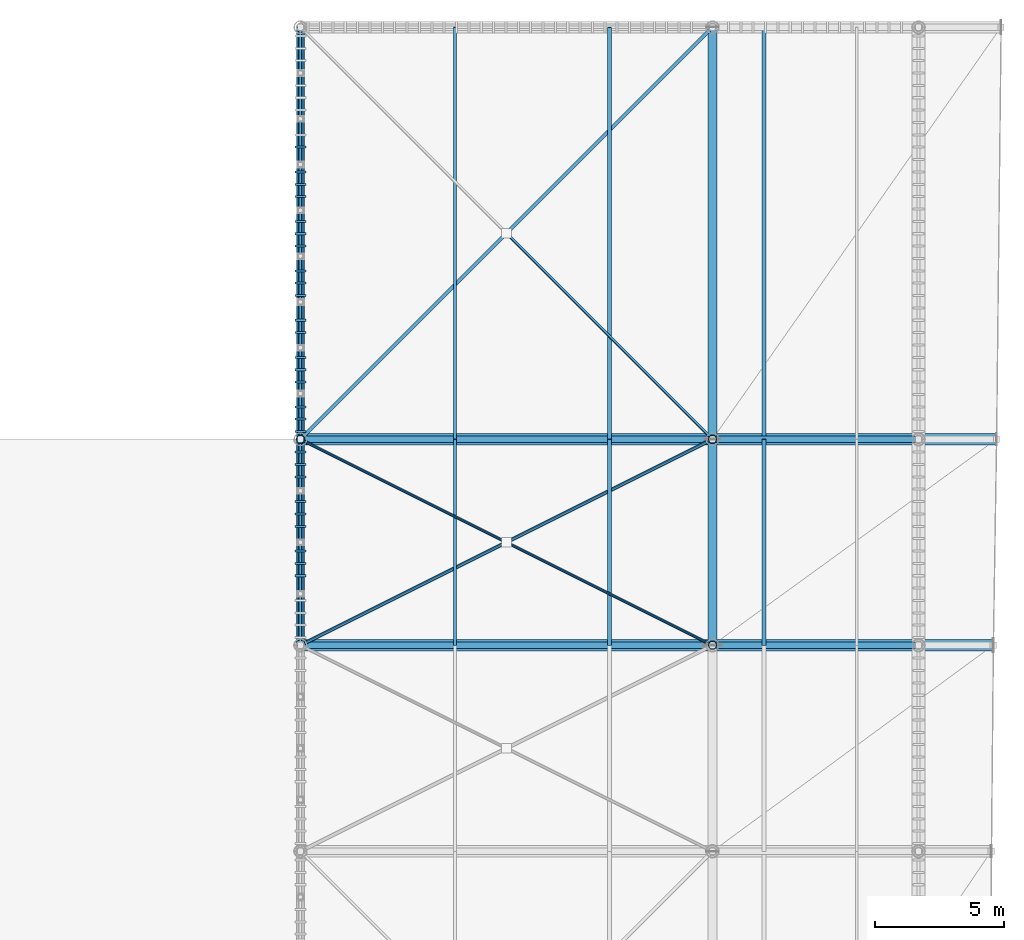
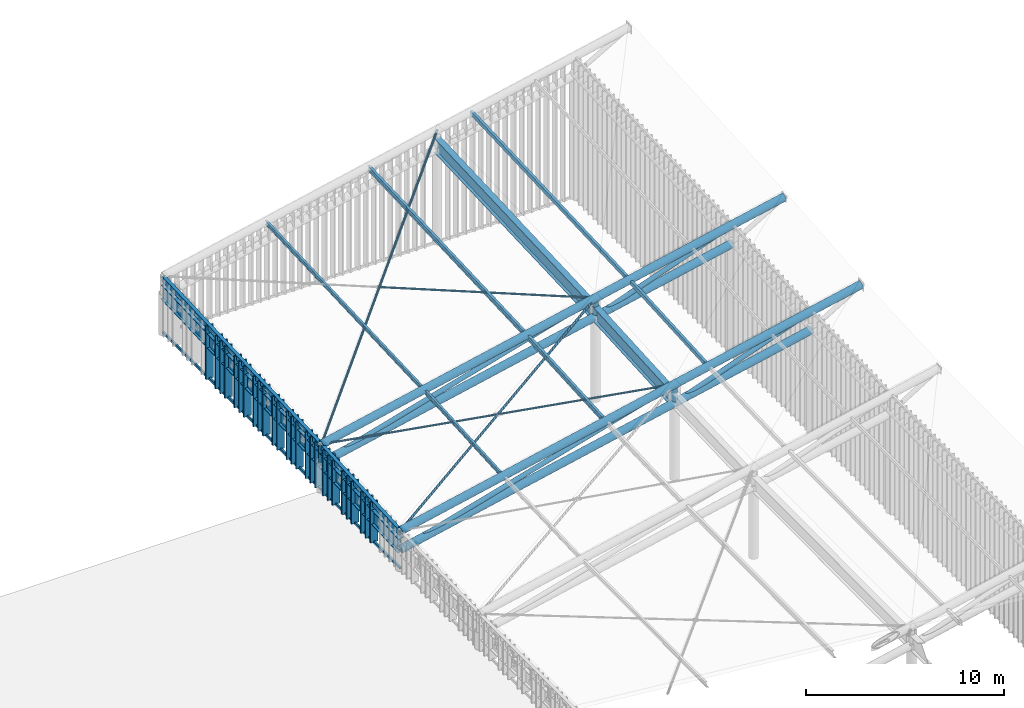
# One storey, part 11 of 25: 51 members, 6 beams.
"""IFC4 building model written with IfcOpenShell, lengths in metres."""

from ifc_helpers import new_model, si_unit, direction, frame, origin, origin_2d, place, context, subcontext, project, spatial, rectangle, hollow_rectangle, hollow_circle, i_section, extrude, material, material_profile, profile_set, type_object, element, save


model = new_model("IFC4")

# Units and contexts
model_context = context("Model", 3, precision=1e-05, world=origin(), true_north=direction((0.0, 1.0)))
body_context = subcontext(model_context, "Body", "Model", "MODEL_VIEW")
ifc_project = project(units=[si_unit("LENGTHUNIT", "METRE"), si_unit("AREAUNIT", "SQUARE_METRE"), si_unit("VOLUMEUNIT", "CUBIC_METRE"), si_unit("PLANEANGLEUNIT", "RADIAN"), si_unit("MASSUNIT", "GRAM", prefix="KILO")], contexts=[model_context])

# Site, building, storey
site_placement = place(None, origin())
site = spatial("IfcSite", under=ifc_project, at=site_placement, CompositionType="ELEMENT")
building_placement = place(site_placement, origin())
building = spatial("IfcBuilding", under=site, at=building_placement, Name="Haebicheon Civic Stadium", CompositionType="ELEMENT")
storey_placement = place(building_placement, frame((0.0, 0.0, 31.199951171875)))
storey = spatial("IfcBuildingStorey", under=building, at=storey_placement, Name="RF", CompositionType="ELEMENT", Elevation=31.199951171875)

# Members
ifc_material_1 = material(Name="White painted steel SM490", Category="steel")
ifc_material_profile_1 = material_profile(ifc_material_1, hollow_circle(Radius=0.05712890625, WallThickness=0.006103515625, at=origin_2d()), Name="CHS-114.3x6.0")
ifc_profile_set_1 = profile_set([ifc_material_profile_1], Name="White painted steel SM490")
member_type_1 = type_object("IfcMemberType", Name="BRC-CHS114", PredefinedType="BRACE", material=ifc_profile_set_1)
member_1_placement = place(storey_placement, frame((48.0, 120.0, 2.84716796875), z_axis=(0.882450254052, -0.441225127026, 0.163101000626), x_axis=(0.4472135955, 0.894427191, 0.0)))
element("IfcMember", 1, at=member_1_placement, inside=storey, type_object=member_type_1, material=ifc_profile_set_1, Name="BR114 diagonal brace CAN-WEST canopy bay 7 B1", PredefinedType="BRACE", context=body_context, shape_type="SweptSolid", body=[
    extrude(hollow_circle(Radius=0.05712890625, WallThickness=0.006103515625, at=origin_2d()), origin(), (0.0, 0.0, 1.0), 8.9931640625),
])
member_2_placement = place(storey_placement, frame((56.06396484375, 115.968017578125, 4.338134765625), z_axis=(0.882430710216, -0.441215355108, 0.163233121901), x_axis=(0.4472135955, 0.894427191, 0.0)))
element("IfcMember", 2, at=member_2_placement, inside=storey, type_object=member_type_1, material=ifc_profile_set_1, Name="BR114 diagonal brace CAN-WEST canopy bay 7 B2", PredefinedType="BRACE", context=body_context, shape_type="SweptSolid", body=[
    extrude(hollow_circle(Radius=0.05712890625, WallThickness=0.006103515625, at=origin_2d()), origin(), (0.0, 0.0, 1.0), 8.993408203125),
])
member_3_placement = place(storey_placement, frame((56.051025390625, 127.948974609375, 4.9130859375), z_axis=(0.701883324808, -0.701883324808, 0.121324345097), x_axis=(0.707106781187, 0.707106781187, 0.0)))
element("IfcMember", 3, at=member_3_placement, inside=storey, type_object=member_type_1, material=ifc_profile_set_1, Name="BR114 diagonal brace CAN-WEST canopy bay 8 B2", PredefinedType="BRACE", context=body_context, shape_type="SweptSolid", body=[
    extrude(hollow_circle(Radius=0.05712890625, WallThickness=0.006103515625, at=origin_2d()), origin(), (0.0, 0.0, 1.0), 11.3251953125),
])
ifc_material_2 = material(Name="White painted steel SM490", Category="steel")
ifc_material_profile_2 = material_profile(ifc_material_2, hollow_circle(Radius=0.06982421875, WallThickness=0.006591796875, at=origin_2d()), Name="CHS-139.8x6.6")
ifc_profile_set_2 = profile_set([ifc_material_profile_2], Name="White painted steel SM490")
member_type_2 = type_object("IfcMemberType", Name="BRC-CHS139", PredefinedType="BRACE", material=ifc_profile_set_2)
member_4_placement = place(storey_placement, frame((48.0, 112.0, 2.365966796875), z_axis=(0.873684050007, 0.436842025004, 0.21411498302), x_axis=(-0.4472135955, 0.894427191, 0.0)))
element("IfcMember", 4, at=member_4_placement, inside=storey, type_object=member_type_2, material=ifc_profile_set_2, Name="BR139 diagonal brace CAN-WEST canopy bay 7 A", PredefinedType="BRACE", context=body_context, shape_type="SweptSolid", body=[
    extrude(hollow_circle(Radius=0.06982421875, WallThickness=0.006591796875, at=origin_2d()), origin(), (0.0, 0.0, 1.0), 18.313232421875),
])
member_5_placement = place(storey_placement, frame((48.0, 120.0, 2.84716796875), z_axis=(0.695702742585, 0.695702742585, 0.178872546578), x_axis=(-0.707106781187, 0.707106781187, 0.0)))
element("IfcMember", 5, at=member_5_placement, inside=storey, type_object=member_type_2, material=ifc_profile_set_2, Name="BR139 diagonal brace CAN-WEST canopy bay 8 A", PredefinedType="BRACE", context=body_context, shape_type="SweptSolid", body=[
    extrude(hollow_circle(Radius=0.06982421875, WallThickness=0.006591796875, at=origin_2d()), origin(), (0.0, 0.0, 1.0), 22.998291015625),
])
ifc_material_3 = material(Name="White painted steel SM490", Category="steel")
ifc_material_profile_3 = material_profile(ifc_material_3, hollow_circle(Radius=0.1337890625, WallThickness=0.011962890625, at=origin_2d()), Name="CHS-267.4x12.0")
ifc_profile_set_3 = profile_set([ifc_material_profile_3], Name="White painted steel SM490")
member_type_3 = type_object("IfcMemberType", Name="BRC-CHS267", PredefinedType="BRACE", material=ifc_profile_set_3)
member_6_placement = place(storey_placement, frame((48.0, 112.0, 1.216064453125), z_axis=(0.961227278426, 0.0, 0.275757355678), x_axis=(0.0, 1.0, 0.0)))
element("IfcMember", 6, at=member_6_placement, inside=storey, type_object=member_type_3, material=ifc_profile_set_3, Name="BR267 diagonal brace CAN-WEST truss 7 D1", PredefinedType="BRACE", context=body_context, shape_type="SweptSolid", body=[
    extrude(hollow_circle(Radius=0.1337890625, WallThickness=0.011962890625, at=origin_2d()), origin(), (0.0, 0.0, 1.0), 16.6455078125),
])
member_7_placement = place(storey_placement, frame((64.0, 112.0, 4.656005859375), z_axis=(0.941257424358, 0.0, 0.337689888939), x_axis=(0.0, 1.0, 0.0)))
element("IfcMember", 7, at=member_7_placement, inside=storey, type_object=member_type_3, material=ifc_profile_set_3, Name="BR267 diagonal brace CAN-WEST truss 7 D2", PredefinedType="BRACE", context=body_context, shape_type="SweptSolid", body=[
    extrude(hollow_circle(Radius=0.1337890625, WallThickness=0.011962890625, at=origin_2d()), origin(), (0.0, 0.0, 1.0), 8.499267578125),
])
member_8_placement = place(storey_placement, frame((48.0, 120.0, 1.697021484375), z_axis=(0.961227278426, 0.0, 0.275757355678), x_axis=(0.0, 1.0, 0.0)))
element("IfcMember", 8, at=member_8_placement, inside=storey, type_object=member_type_3, material=ifc_profile_set_3, Name="BR267 diagonal brace CAN-WEST truss 8 D1", PredefinedType="BRACE", context=body_context, shape_type="SweptSolid", body=[
    extrude(hollow_circle(Radius=0.1337890625, WallThickness=0.011962890625, at=origin_2d()), origin(), (0.0, 0.0, 1.0), 16.6455078125),
])
member_9_placement = place(storey_placement, frame((64.0, 120.0, 5.136962890625), z_axis=(0.941257424358, 0.0, 0.337689888939), x_axis=(0.0, 1.0, 0.0)))
element("IfcMember", 9, at=member_9_placement, inside=storey, type_object=member_type_3, material=ifc_profile_set_3, Name="BR267 diagonal brace CAN-WEST truss 8 D2", PredefinedType="BRACE", context=body_context, shape_type="SweptSolid", body=[
    extrude(hollow_circle(Radius=0.1337890625, WallThickness=0.011962890625, at=origin_2d()), origin(), (0.0, 0.0, 1.0), 8.499267578125),
])
ifc_material_4 = material(Name="White painted steel SM490", Category="steel")
ifc_material_profile_4 = material_profile(ifc_material_4, hollow_circle(Radius=0.228515625, WallThickness=0.02197265625, at=origin_2d()), Name="CHS-457.2x22.0")
ifc_profile_set_4 = profile_set([ifc_material_profile_4], Name="White painted steel SM490")
member_type_4 = type_object("IfcMemberType", Name="CHD-CHS457", PredefinedType="CHORD", material=ifc_profile_set_4)
member_10_placement = place(storey_placement, frame((48.0, 112.0, 2.365966796875), z_axis=(0.977661174499, 0.0, 0.21018712586), x_axis=(0.0, 1.0, 0.0)))
element("IfcMember", 10, at=member_10_placement, inside=storey, type_object=member_type_4, material=ifc_profile_set_4, Name="CH457 truss chord CAN-WEST 7 top", PredefinedType="CHORD", context=body_context, shape_type="SweptSolid", body=[
    extrude(hollow_circle(Radius=0.228515625, WallThickness=0.02197265625, at=origin_2d()), origin(), (0.0, 0.0, 1.0), 27.5146484375),
])
member_11_placement = place(storey_placement, frame((48.0, 112.0, 1.216064453125), z_axis=(0.977659849808, 0.0, 0.210193287411), x_axis=(0.0, 1.0, 0.0)))
element("IfcMember", 11, at=member_11_placement, inside=storey, type_object=member_type_4, material=ifc_profile_set_4, Name="CH457 truss chord CAN-WEST 7 bottom", PredefinedType="CHORD", context=body_context, shape_type="SweptSolid", body=[
    extrude(hollow_circle(Radius=0.228515625, WallThickness=0.02197265625, at=origin_2d()), origin(), (0.0, 0.0, 1.0), 24.54833984375),
])
member_12_placement = place(storey_placement, frame((48.0, 120.0, 2.84716796875), z_axis=(0.97766312505, 0.0, 0.210178052892), x_axis=(0.0, 1.0, 0.0)))
element("IfcMember", 12, at=member_12_placement, inside=storey, type_object=member_type_4, material=ifc_profile_set_4, Name="CH457 truss chord CAN-WEST 8 top", PredefinedType="CHORD", context=body_context, shape_type="SweptSolid", body=[
    extrude(hollow_circle(Radius=0.228515625, WallThickness=0.02197265625, at=origin_2d()), origin(), (0.0, 0.0, 1.0), 27.642333984375),
])
member_13_placement = place(storey_placement, frame((48.0, 120.0, 1.697021484375), z_axis=(0.977659849808, 0.0, 0.210193287411), x_axis=(0.0, 1.0, 0.0)))
element("IfcMember", 13, at=member_13_placement, inside=storey, type_object=member_type_4, material=ifc_profile_set_4, Name="CH457 truss chord CAN-WEST 8 bottom", PredefinedType="CHORD", context=body_context, shape_type="SweptSolid", body=[
    extrude(hollow_circle(Radius=0.228515625, WallThickness=0.02197265625, at=origin_2d()), origin(), (0.0, 0.0, 1.0), 24.54833984375),
])
ifc_material_5 = material(Name="Acetylated timber GL28h", Category="wood")
ifc_material_profile_5 = material_profile(ifc_material_5, rectangle(XDim=0.080078125, YDim=0.43994140625, at=origin_2d()), Name="TMB-LOUV-80x440")
ifc_profile_set_5 = profile_set([ifc_material_profile_5], Name="Acetylated timber GL28h")
member_type_5 = type_object("IfcMemberType", Name="CRN-LVR-440x80", PredefinedType="PLATE", material=ifc_profile_set_5)
member_14_placement = place(storey_placement, frame((48.0, 114.699951171875, 0.050048828125), z_axis=(0.0, 0.0, 1.0), x_axis=(0.0, 1.0, 0.0)))
element("IfcMember", 14, at=member_14_placement, inside=storey, type_object=member_type_5, material=ifc_profile_set_5, Name="Crown wind-baffle slat W.7.6", PredefinedType="PLATE", context=body_context, shape_type="SweptSolid", body=[
    extrude(rectangle(XDim=0.080078125, YDim=0.43994140625, at=origin_2d()), origin(), (0.0, 0.0, 1.0), 2.507080078125),
])
member_15_placement = place(storey_placement, frame((48.0, 115.179931640625, 0.050048828125), z_axis=(0.0, 0.0, 1.0), x_axis=(0.0, 1.0, 0.0)))
element("IfcMember", 15, at=member_15_placement, inside=storey, type_object=member_type_5, material=ifc_profile_set_5, Name="Crown wind-baffle slat W.7.7", PredefinedType="PLATE", context=body_context, shape_type="SweptSolid", body=[
    extrude(rectangle(XDim=0.080078125, YDim=0.43994140625, at=origin_2d()), origin(), (0.0, 0.0, 1.0), 2.535888671875),
])
member_16_placement = place(storey_placement, frame((48.0, 115.659912109375, 0.050048828125), z_axis=(0.0, 0.0, 1.0), x_axis=(0.0, 1.0, 0.0)))
element("IfcMember", 16, at=member_16_placement, inside=storey, type_object=member_type_5, material=ifc_profile_set_5, Name="Crown wind-baffle slat W.7.8", PredefinedType="PLATE", context=body_context, shape_type="SweptSolid", body=[
    extrude(rectangle(XDim=0.080078125, YDim=0.43994140625, at=origin_2d()), origin(), (0.0, 0.0, 1.0), 2.56494140625),
])
member_17_placement = place(storey_placement, frame((48.0, 116.6201171875, 0.050048828125), z_axis=(0.0, 0.0, 1.0), x_axis=(0.0, 1.0, 0.0)))
element("IfcMember", 17, at=member_17_placement, inside=storey, type_object=member_type_5, material=ifc_profile_set_5, Name="Crown wind-baffle slat W.7.10", PredefinedType="PLATE", context=body_context, shape_type="SweptSolid", body=[
    extrude(rectangle(XDim=0.080078125, YDim=0.43994140625, at=origin_2d()), origin(), (0.0, 0.0, 1.0), 2.623046875),
])
member_18_placement = place(storey_placement, frame((48.0, 117.10009765625, 0.050048828125), z_axis=(0.0, 0.0, 1.0), x_axis=(0.0, 1.0, 0.0)))
element("IfcMember", 18, at=member_18_placement, inside=storey, type_object=member_type_5, material=ifc_profile_set_5, Name="Crown wind-baffle slat W.7.11", PredefinedType="PLATE", context=body_context, shape_type="SweptSolid", body=[
    extrude(rectangle(XDim=0.080078125, YDim=0.43994140625, at=origin_2d()), origin(), (0.0, 0.0, 1.0), 2.652099609375),
])
member_19_placement = place(storey_placement, frame((48.0, 117.580078125, 0.050048828125), z_axis=(0.0, 0.0, 1.0), x_axis=(0.0, 1.0, 0.0)))
element("IfcMember", 19, at=member_19_placement, inside=storey, type_object=member_type_5, material=ifc_profile_set_5, Name="Crown wind-baffle slat W.7.12", PredefinedType="PLATE", context=body_context, shape_type="SweptSolid", body=[
    extrude(rectangle(XDim=0.080078125, YDim=0.43994140625, at=origin_2d()), origin(), (0.0, 0.0, 1.0), 2.679931640625),
])
member_20_placement = place(storey_placement, frame((48.0, 118.5400390625, 0.050048828125), z_axis=(0.0, 0.0, 1.0), x_axis=(0.0, 1.0, 0.0)))
element("IfcMember", 20, at=member_20_placement, inside=storey, type_object=member_type_5, material=ifc_profile_set_5, Name="Crown wind-baffle slat W.7.14", PredefinedType="PLATE", context=body_context, shape_type="SweptSolid", body=[
    extrude(rectangle(XDim=0.080078125, YDim=0.43994140625, at=origin_2d()), origin(), (0.0, 0.0, 1.0), 2.738037109375),
])
member_21_placement = place(storey_placement, frame((48.0, 119.02001953125, 0.050048828125), z_axis=(0.0, 0.0, 1.0), x_axis=(0.0, 1.0, 0.0)))
element("IfcMember", 21, at=member_21_placement, inside=storey, type_object=member_type_5, material=ifc_profile_set_5, Name="Crown wind-baffle slat W.7.15", PredefinedType="PLATE", context=body_context, shape_type="SweptSolid", body=[
    extrude(rectangle(XDim=0.080078125, YDim=0.43994140625, at=origin_2d()), origin(), (0.0, 0.0, 1.0), 2.76708984375),
])
member_22_placement = place(storey_placement, frame((48.0, 119.5, 0.050048828125), z_axis=(0.0, 0.0, 1.0), x_axis=(0.0, 1.0, 0.0)))
element("IfcMember", 22, at=member_22_placement, inside=storey, type_object=member_type_5, material=ifc_profile_set_5, Name="Crown wind-baffle slat W.7.16", PredefinedType="PLATE", context=body_context, shape_type="SweptSolid", body=[
    extrude(rectangle(XDim=0.080078125, YDim=0.43994140625, at=origin_2d()), origin(), (0.0, 0.0, 1.0), 2.7958984375),
])
member_23_placement = place(storey_placement, frame((48.0, 120.300048828125, 0.050048828125), z_axis=(0.0, 0.0, 1.0), x_axis=(0.0, 1.0, 0.0)))
element("IfcMember", 23, at=member_23_placement, inside=storey, type_object=member_type_5, material=ifc_profile_set_5, Name="Crown wind-baffle slat W.8.1", PredefinedType="PLATE", context=body_context, shape_type="SweptSolid", body=[
    extrude(rectangle(XDim=0.080078125, YDim=0.43994140625, at=origin_2d()), origin(), (0.0, 0.0, 1.0), 2.839111328125),
])
member_24_placement = place(storey_placement, frame((48.0, 120.780029296875, 0.050048828125), z_axis=(0.0, 0.0, 1.0), x_axis=(0.0, 1.0, 0.0)))
element("IfcMember", 24, at=member_24_placement, inside=storey, type_object=member_type_5, material=ifc_profile_set_5, Name="Crown wind-baffle slat W.8.2", PredefinedType="PLATE", context=body_context, shape_type="SweptSolid", body=[
    extrude(rectangle(XDim=0.080078125, YDim=0.43994140625, at=origin_2d()), origin(), (0.0, 0.0, 1.0), 2.85888671875),
])
member_25_placement = place(storey_placement, frame((48.0, 121.260009765625, 0.050048828125), z_axis=(0.0, 0.0, 1.0), x_axis=(0.0, 1.0, 0.0)))
element("IfcMember", 25, at=member_25_placement, inside=storey, type_object=member_type_5, material=ifc_profile_set_5, Name="Crown wind-baffle slat W.8.3", PredefinedType="PLATE", context=body_context, shape_type="SweptSolid", body=[
    extrude(rectangle(XDim=0.080078125, YDim=0.43994140625, at=origin_2d()), origin(), (0.0, 0.0, 1.0), 2.87890625),
])
member_26_placement = place(storey_placement, frame((48.0, 122.219970703125, 0.050048828125), z_axis=(0.0, 0.0, 1.0), x_axis=(0.0, 1.0, 0.0)))
element("IfcMember", 26, at=member_26_placement, inside=storey, type_object=member_type_5, material=ifc_profile_set_5, Name="Crown wind-baffle slat W.8.5", PredefinedType="PLATE", context=body_context, shape_type="SweptSolid", body=[
    extrude(rectangle(XDim=0.080078125, YDim=0.43994140625, at=origin_2d()), origin(), (0.0, 0.0, 1.0), 2.919921875),
])
member_27_placement = place(storey_placement, frame((48.0, 122.699951171875, 0.050048828125), z_axis=(0.0, 0.0, 1.0), x_axis=(0.0, 1.0, 0.0)))
element("IfcMember", 27, at=member_27_placement, inside=storey, type_object=member_type_5, material=ifc_profile_set_5, Name="Crown wind-baffle slat W.8.6", PredefinedType="PLATE", context=body_context, shape_type="SweptSolid", body=[
    extrude(rectangle(XDim=0.080078125, YDim=0.43994140625, at=origin_2d()), origin(), (0.0, 0.0, 1.0), 2.93994140625),
])
member_28_placement = place(storey_placement, frame((48.0, 123.179931640625, 0.050048828125), z_axis=(0.0, 0.0, 1.0), x_axis=(0.0, 1.0, 0.0)))
element("IfcMember", 28, at=member_28_placement, inside=storey, type_object=member_type_5, material=ifc_profile_set_5, Name="Crown wind-baffle slat W.8.7", PredefinedType="PLATE", context=body_context, shape_type="SweptSolid", body=[
    extrude(rectangle(XDim=0.080078125, YDim=0.43994140625, at=origin_2d()), origin(), (0.0, 0.0, 1.0), 2.9599609375),
])
member_29_placement = place(storey_placement, frame((48.0, 124.139892578125, 0.050048828125), z_axis=(0.0, 0.0, 1.0), x_axis=(0.0, 1.0, 0.0)))
element("IfcMember", 29, at=member_29_placement, inside=storey, type_object=member_type_5, material=ifc_profile_set_5, Name="Crown wind-baffle slat W.8.9", PredefinedType="PLATE", context=body_context, shape_type="SweptSolid", body=[
    extrude(rectangle(XDim=0.080078125, YDim=0.43994140625, at=origin_2d()), origin(), (0.0, 0.0, 1.0), 3.0),
])
member_30_placement = place(storey_placement, frame((48.0, 124.6201171875, 0.050048828125), z_axis=(0.0, 0.0, 1.0), x_axis=(0.0, 1.0, 0.0)))
element("IfcMember", 30, at=member_30_placement, inside=storey, type_object=member_type_5, material=ifc_profile_set_5, Name="Crown wind-baffle slat W.8.10", PredefinedType="PLATE", context=body_context, shape_type="SweptSolid", body=[
    extrude(rectangle(XDim=0.080078125, YDim=0.43994140625, at=origin_2d()), origin(), (0.0, 0.0, 1.0), 3.02099609375),
])
member_31_placement = place(storey_placement, frame((48.0, 125.580078125, 0.050048828125), z_axis=(0.0, 0.0, 1.0), x_axis=(0.0, 1.0, 0.0)))
element("IfcMember", 31, at=member_31_placement, inside=storey, type_object=member_type_5, material=ifc_profile_set_5, Name="Crown wind-baffle slat W.8.12", PredefinedType="PLATE", context=body_context, shape_type="SweptSolid", body=[
    extrude(rectangle(XDim=0.080078125, YDim=0.43994140625, at=origin_2d()), origin(), (0.0, 0.0, 1.0), 3.06103515625),
])
member_32_placement = place(storey_placement, frame((48.0, 126.06005859375, 0.050048828125), z_axis=(0.0, 0.0, 1.0), x_axis=(0.0, 1.0, 0.0)))
element("IfcMember", 32, at=member_32_placement, inside=storey, type_object=member_type_5, material=ifc_profile_set_5, Name="Crown wind-baffle slat W.8.13", PredefinedType="PLATE", context=body_context, shape_type="SweptSolid", body=[
    extrude(rectangle(XDim=0.080078125, YDim=0.43994140625, at=origin_2d()), origin(), (0.0, 0.0, 1.0), 3.0810546875),
])
member_33_placement = place(storey_placement, frame((48.0, 126.5400390625, 0.050048828125), z_axis=(0.0, 0.0, 1.0), x_axis=(0.0, 1.0, 0.0)))
element("IfcMember", 33, at=member_33_placement, inside=storey, type_object=member_type_5, material=ifc_profile_set_5, Name="Crown wind-baffle slat W.8.14", PredefinedType="PLATE", context=body_context, shape_type="SweptSolid", body=[
    extrude(rectangle(XDim=0.080078125, YDim=0.43994140625, at=origin_2d()), origin(), (0.0, 0.0, 1.0), 3.10107421875),
])
member_34_placement = place(storey_placement, frame((48.0, 127.5, 0.050048828125), z_axis=(0.0, 0.0, 1.0), x_axis=(0.0, 1.0, 0.0)))
element("IfcMember", 34, at=member_34_placement, inside=storey, type_object=member_type_5, material=ifc_profile_set_5, Name="Crown wind-baffle slat W.8.16", PredefinedType="PLATE", context=body_context, shape_type="SweptSolid", body=[
    extrude(rectangle(XDim=0.080078125, YDim=0.43994140625, at=origin_2d()), origin(), (0.0, 0.0, 1.0), 3.14208984375),
])
member_35_placement = place(storey_placement, frame((48.0, 127.97998046875, 0.050048828125), z_axis=(0.0, 0.0, 1.0), x_axis=(0.0, 1.0, 0.0)))
element("IfcMember", 35, at=member_35_placement, inside=storey, type_object=member_type_5, material=ifc_profile_set_5, Name="Crown wind-baffle slat W.8.17", PredefinedType="PLATE", context=body_context, shape_type="SweptSolid", body=[
    extrude(rectangle(XDim=0.080078125, YDim=0.43994140625, at=origin_2d()), origin(), (0.0, 0.0, 1.0), 3.162109375),
])
member_36_placement = place(storey_placement, frame((48.0, 128.4599609375, 0.050048828125), z_axis=(0.0, 0.0, 1.0), x_axis=(0.0, 1.0, 0.0)))
element("IfcMember", 36, at=member_36_placement, inside=storey, type_object=member_type_5, material=ifc_profile_set_5, Name="Crown wind-baffle slat W.8.18", PredefinedType="PLATE", context=body_context, shape_type="SweptSolid", body=[
    extrude(rectangle(XDim=0.080078125, YDim=0.43994140625, at=origin_2d()), origin(), (0.0, 0.0, 1.0), 3.181884765625),
])
member_37_placement = place(storey_placement, frame((48.0, 129.419921875, 0.050048828125), z_axis=(0.0, 0.0, 1.0), x_axis=(0.0, 1.0, 0.0)))
element("IfcMember", 37, at=member_37_placement, inside=storey, type_object=member_type_5, material=ifc_profile_set_5, Name="Crown wind-baffle slat W.8.20", PredefinedType="PLATE", context=body_context, shape_type="SweptSolid", body=[
    extrude(rectangle(XDim=0.080078125, YDim=0.43994140625, at=origin_2d()), origin(), (0.0, 0.0, 1.0), 3.222900390625),
])
member_38_placement = place(storey_placement, frame((48.0, 129.89990234375, 0.050048828125), z_axis=(0.0, 0.0, 1.0), x_axis=(0.0, 1.0, 0.0)))
element("IfcMember", 38, at=member_38_placement, inside=storey, type_object=member_type_5, material=ifc_profile_set_5, Name="Crown wind-baffle slat W.8.21", PredefinedType="PLATE", context=body_context, shape_type="SweptSolid", body=[
    extrude(rectangle(XDim=0.080078125, YDim=0.43994140625, at=origin_2d()), origin(), (0.0, 0.0, 1.0), 3.242919921875),
])
member_39_placement = place(storey_placement, frame((48.0, 130.3798828125, 0.050048828125), z_axis=(0.0, 0.0, 1.0), x_axis=(0.0, 1.0, 0.0)))
element("IfcMember", 39, at=member_39_placement, inside=storey, type_object=member_type_5, material=ifc_profile_set_5, Name="Crown wind-baffle slat W.8.22", PredefinedType="PLATE", context=body_context, shape_type="SweptSolid", body=[
    extrude(rectangle(XDim=0.080078125, YDim=0.43994140625, at=origin_2d()), origin(), (0.0, 0.0, 1.0), 3.262939453125),
])
member_40_placement = place(storey_placement, frame((48.0, 131.340087890625, 0.050048828125), z_axis=(0.0, 0.0, 1.0), x_axis=(0.0, 1.0, 0.0)))
element("IfcMember", 40, at=member_40_placement, inside=storey, type_object=member_type_5, material=ifc_profile_set_5, Name="Crown wind-baffle slat W.8.24", PredefinedType="PLATE", context=body_context, shape_type="SweptSolid", body=[
    extrude(rectangle(XDim=0.080078125, YDim=0.43994140625, at=origin_2d()), origin(), (0.0, 0.0, 1.0), 3.303955078125),
])
ifc_material_6 = material(Name="White painted steel SM490", Category="steel")
ifc_material_profile_6 = material_profile(ifc_material_6, hollow_rectangle(XDim=0.14990234375, YDim=0.25, WallThickness=0.010009765625, at=origin_2d()), Name="RHS-250x150x10.0")
ifc_profile_set_6 = profile_set([ifc_material_profile_6], Name="White painted steel SM490")
member_type_6 = type_object("IfcMemberType", Name="PRL-RHS250", PredefinedType="PURLIN", material=ifc_profile_set_6)
member_41_placement = place(storey_placement, frame((66.0, 112.0, 6.195068359375), z_axis=(0.0, 0.998197699277, 0.060011275256), x_axis=(-1.0, 0.0, 0.0)))
element("IfcMember", 41, at=member_41_placement, inside=storey, type_object=member_type_6, material=ifc_profile_set_6, Name="CAN-WEST canopy purlin bay 7 (75%)", PredefinedType="PURLIN", context=body_context, shape_type="SweptSolid", body=[
    extrude(hollow_rectangle(XDim=0.14990234375, YDim=0.25, WallThickness=0.010009765625, at=origin_2d()), origin(), (0.0, 0.0, 1.0), 8.014404296875),
])
member_42_placement = place(storey_placement, frame((66.0, 120.0, 6.676025390625), z_axis=(0.0, 0.999113731517, 0.042092178539), x_axis=(-1.0, 0.0, 0.0)))
element("IfcMember", 42, at=member_42_placement, inside=storey, type_object=member_type_6, material=ifc_profile_set_6, Name="CAN-WEST canopy purlin bay 8 (75%)", PredefinedType="PURLIN", context=body_context, shape_type="SweptSolid", body=[
    extrude(hollow_rectangle(XDim=0.14990234375, YDim=0.25, WallThickness=0.010009765625, at=origin_2d()), origin(), (0.0, 0.0, 1.0), 16.01416015625),
])
ifc_material_7 = material(Name="White painted steel SM490", Category="steel")
ifc_material_profile_7 = material_profile(ifc_material_7, i_section(OverallWidth=0.125, OverallDepth=0.25, WebThickness=0.006103515625, FlangeThickness=0.009033203125, at=origin_2d()), Name="H-250x125x6x9")
ifc_profile_set_7 = profile_set([ifc_material_profile_7], Name="White painted steel SM490")
member_type_7 = type_object("IfcMemberType", Name="PRL-ST-H250", PredefinedType="PURLIN", material=ifc_profile_set_7)
member_43_placement = place(storey_placement, frame((54.0, 112.0, 3.614990234375), z_axis=(0.0, 0.998197699277, 0.060011275256), x_axis=(-1.0, 0.0, 0.0)))
element("IfcMember", 43, at=member_43_placement, inside=storey, type_object=member_type_7, material=ifc_profile_set_7, Name="CAN-WEST canopy purlin bay 7 (25%)", PredefinedType="PURLIN", context=body_context, shape_type="SweptSolid", body=[
    extrude(i_section(OverallWidth=0.125, OverallDepth=0.25, WebThickness=0.006103515625, FlangeThickness=0.009033203125, at=origin_2d()), origin(), (0.0, 0.0, 1.0), 8.014404296875),
])
member_44_placement = place(storey_placement, frame((54.0, 120.0, 4.095947265625), z_axis=(0.0, 0.999113731517, 0.042092178539), x_axis=(-1.0, 0.0, 0.0)))
element("IfcMember", 44, at=member_44_placement, inside=storey, type_object=member_type_7, material=ifc_profile_set_7, Name="CAN-WEST canopy purlin bay 8 (25%)", PredefinedType="PURLIN", context=body_context, shape_type="SweptSolid", body=[
    extrude(i_section(OverallWidth=0.125, OverallDepth=0.25, WebThickness=0.006103515625, FlangeThickness=0.009033203125, at=origin_2d()), origin(), (0.0, 0.0, 1.0), 16.01416015625),
])
ifc_material_8 = material(Name="White painted steel SM490", Category="steel")
ifc_material_profile_8 = material_profile(ifc_material_8, i_section(OverallWidth=0.14990234375, OverallDepth=0.300048828125, WebThickness=0.006591796875, FlangeThickness=0.009033203125, at=origin_2d()), Name="H-300x150x6.5x9")
ifc_profile_set_8 = profile_set([ifc_material_profile_8], Name="White painted steel SM490")
member_type_8 = type_object("IfcMemberType", Name="PRL-ST-H300", PredefinedType="PURLIN", material=ifc_profile_set_8)
member_45_placement = place(storey_placement, frame((60.0, 112.0, 4.880126953125), z_axis=(0.0, 0.998197699277, 0.060011275256), x_axis=(-1.0, 0.0, 0.0)))
element("IfcMember", 45, at=member_45_placement, inside=storey, type_object=member_type_8, material=ifc_profile_set_8, Name="CAN-WEST canopy purlin bay 7 (50%)", PredefinedType="PURLIN", context=body_context, shape_type="SweptSolid", body=[
    extrude(i_section(OverallWidth=0.14990234375, OverallDepth=0.300048828125, WebThickness=0.006591796875, FlangeThickness=0.009033203125, at=origin_2d()), origin(), (0.0, 0.0, 1.0), 8.014404296875),
])
member_46_placement = place(storey_placement, frame((60.0, 120.0, 5.361083984375), z_axis=(0.0, 0.999113731517, 0.042092178539), x_axis=(-1.0, 0.0, 0.0)))
element("IfcMember", 46, at=member_46_placement, inside=storey, type_object=member_type_8, material=ifc_profile_set_8, Name="CAN-WEST canopy purlin bay 8 (50%)", PredefinedType="PURLIN", context=body_context, shape_type="SweptSolid", body=[
    extrude(i_section(OverallWidth=0.14990234375, OverallDepth=0.300048828125, WebThickness=0.006591796875, FlangeThickness=0.009033203125, at=origin_2d()), origin(), (0.0, 0.0, 1.0), 16.01416015625),
])

# Beams
ifc_material_9 = material(Name="White painted steel SM490", Category="steel")
ifc_material_profile_9 = material_profile(ifc_material_9, i_section(OverallWidth=0.35009765625, OverallDepth=0.89990234375, WebThickness=0.01806640625, FlangeThickness=0.031982421875, at=origin_2d()), Name="H-900x350x18x32")
ifc_profile_set_9 = profile_set([ifc_material_profile_9], Name="White painted steel SM490")
beam_type_1 = type_object("IfcBeamType", Name="RB-ST-H900A", PredefinedType="USERDEFINED", material=ifc_profile_set_9)
beam_1_placement = place(storey_placement, frame((64.0, 112.0, 4.906005859375), z_axis=(0.0, 0.998197699277, 0.060011275256), x_axis=(-1.0, 0.0, 0.0)))
element("IfcBeam", 47, at=beam_1_placement, inside=storey, type_object=beam_type_1, material=ifc_profile_set_9, Name="CAN-WEST polygonal ring beam RB-PIV bay 7", ObjectType="RING BEAM", PredefinedType="USERDEFINED", context=body_context, shape_type="SweptSolid", body=[
    extrude(i_section(OverallWidth=0.35009765625, OverallDepth=0.89990234375, WebThickness=0.01806640625, FlangeThickness=0.031982421875, at=origin_2d()), origin(), (0.0, 0.0, 1.0), 8.014404296875),
])
beam_2_placement = place(storey_placement, frame((64.0, 120.0, 5.386962890625), z_axis=(0.0, 0.999113731517, 0.042092178539), x_axis=(-1.0, 0.0, 0.0)))
element("IfcBeam", 48, at=beam_2_placement, inside=storey, type_object=beam_type_1, material=ifc_profile_set_9, Name="CAN-WEST polygonal ring beam RB-PIV bay 8", ObjectType="RING BEAM", PredefinedType="USERDEFINED", context=body_context, shape_type="SweptSolid", body=[
    extrude(i_section(OverallWidth=0.35009765625, OverallDepth=0.89990234375, WebThickness=0.01806640625, FlangeThickness=0.031982421875, at=origin_2d()), origin(), (0.0, 0.0, 1.0), 16.01416015625),
])
ifc_material_10 = material(Name="White painted steel SM490", Category="steel")
ifc_material_profile_10 = material_profile(ifc_material_10, i_section(OverallWidth=0.300048828125, OverallDepth=0.89990234375, WebThickness=0.01611328125, FlangeThickness=0.028076171875, at=origin_2d()), Name="H-900x300x16x28")
ifc_profile_set_10 = profile_set([ifc_material_profile_10], Name="White painted steel SM490")
beam_type_2 = type_object("IfcBeamType", Name="RB-ST-H900B", PredefinedType="USERDEFINED", material=ifc_profile_set_10)
beam_3_placement = place(storey_placement, frame((48.0, 112.0, 1.466064453125), z_axis=(0.0, 0.998197699277, 0.060011275256), x_axis=(-1.0, 0.0, 0.0)))
element("IfcBeam", 49, at=beam_3_placement, inside=storey, type_object=beam_type_2, material=ifc_profile_set_10, Name="CAN-WEST polygonal ring beam RB-BCK bay 7", ObjectType="RING BEAM", PredefinedType="USERDEFINED", context=body_context, shape_type="SweptSolid", body=[
    extrude(i_section(OverallWidth=0.300048828125, OverallDepth=0.89990234375, WebThickness=0.01611328125, FlangeThickness=0.028076171875, at=origin_2d()), origin(), (0.0, 0.0, 1.0), 8.014404296875),
])
beam_4_placement = place(storey_placement, frame((48.0, 120.0, 1.947021484375), z_axis=(0.0, 0.999113731517, 0.042092178539), x_axis=(-1.0, 0.0, 0.0)))
element("IfcBeam", 50, at=beam_4_placement, inside=storey, type_object=beam_type_2, material=ifc_profile_set_10, Name="CAN-WEST polygonal ring beam RB-BCK bay 8", ObjectType="RING BEAM", PredefinedType="USERDEFINED", context=body_context, shape_type="SweptSolid", body=[
    extrude(i_section(OverallWidth=0.300048828125, OverallDepth=0.89990234375, WebThickness=0.01611328125, FlangeThickness=0.028076171875, at=origin_2d()), origin(), (0.0, 0.0, 1.0), 16.01416015625),
])
ifc_material_11 = material(Name="White painted steel SM490", Category="steel")
ifc_material_profile_11 = material_profile(ifc_material_11, hollow_rectangle(XDim=0.199951171875, YDim=0.300048828125, WallThickness=0.011962890625, at=origin_2d()), Name="RHS-300x200x12.0")
ifc_profile_set_11 = profile_set([ifc_material_profile_11], Name="White painted steel SM490")
beam_type_3 = type_object("IfcBeamType", Name="RB-ST-RHS300", PredefinedType="USERDEFINED", material=ifc_profile_set_11)
beam_5_placement = place(storey_placement, frame((48.0, 112.0, 2.26611328125), z_axis=(0.0, 0.998197699277, 0.060011275256), x_axis=(-1.0, 0.0, 0.0)))
element("IfcBeam", 51, at=beam_5_placement, inside=storey, type_object=beam_type_3, material=ifc_profile_set_11, Name="CAN-WEST polygonal ring beam RB-TOP bay 7", ObjectType="RING BEAM", PredefinedType="USERDEFINED", context=body_context, shape_type="SweptSolid", body=[
    extrude(hollow_rectangle(XDim=0.199951171875, YDim=0.300048828125, WallThickness=0.011962890625, at=origin_2d()), origin(), (0.0, 0.0, 1.0), 8.014404296875),
])
beam_6_placement = place(storey_placement, frame((48.0, 120.0, 2.7470703125), z_axis=(0.0, 0.999113731517, 0.042092178539), x_axis=(-1.0, 0.0, 0.0)))
element("IfcBeam", 52, at=beam_6_placement, inside=storey, type_object=beam_type_3, material=ifc_profile_set_11, Name="CAN-WEST polygonal ring beam RB-TOP bay 8", ObjectType="RING BEAM", PredefinedType="USERDEFINED", context=body_context, shape_type="SweptSolid", body=[
    extrude(hollow_rectangle(XDim=0.199951171875, YDim=0.300048828125, WallThickness=0.011962890625, at=origin_2d()), origin(), (0.0, 0.0, 1.0), 16.01416015625),
])

# Members
ifc_material_12 = material(Name="White painted steel SM490", Category="steel")
ifc_material_profile_12 = material_profile(ifc_material_12, hollow_circle(Radius=0.1591796875, WallThickness=0.013916015625, at=origin_2d()), Name="CHS-318.5x14.0")
ifc_profile_set_12 = profile_set([ifc_material_profile_12], Name="White painted steel SM490")
member_type_9 = type_object("IfcMemberType", Name="STR-CHS318", PredefinedType="STRUT", material=ifc_profile_set_12)
for number, where, z_axis, x_axis, name in (
    (53, (64.0, 112.0, 4.656005859375), (0.0, 0.0, 1.0), (1.0, 0.0, 0.0), "ST318 web strut CAN-WEST truss 7 VP"),
    (54, (48.0, 120.0, 1.697021484375), (0.0, 0.0, 1.0), (1.0, 0.0, 0.0), "ST318 web strut CAN-WEST truss 8 VB"),
    (55, (64.0, 120.0, 5.136962890625), (0.0, 0.0, 1.0), (1.0, 0.0, 0.0), "ST318 web strut CAN-WEST truss 8 VP"),
):
    element("IfcMember", number, at=place(storey_placement, frame(where, z_axis=z_axis, x_axis=x_axis)), inside=storey, type_object=member_type_9, material=ifc_profile_set_12, Name=name, PredefinedType="STRUT", context=body_context, shape_type="SweptSolid", body=[
        extrude(hollow_circle(Radius=0.1591796875, WallThickness=0.013916015625, at=origin_2d()), origin(), (0.0, 0.0, 1.0), 1.150146484375),
    ])
ifc_material_13 = material(Name="Steel SM355 (S355)", Category="steel")
ifc_material_profile_13 = material_profile(ifc_material_13, hollow_rectangle(XDim=0.10009765625, YDim=0.14990234375, WallThickness=0.006103515625, at=origin_2d()), Name="RHS-150x100x6.0")
ifc_profile_set_13 = profile_set([ifc_material_profile_13], Name="Steel SM355 (S355)")
member_type_10 = type_object("IfcMemberType", Name="SUB-RHS150", PredefinedType="STRINGER", material=ifc_profile_set_13)
member_47_placement = place(storey_placement, frame((48.0, 112.0, 0.050048828125), z_axis=(0.0, 1.0, 0.0), x_axis=(-1.0, 0.0, 0.0)))
element("IfcMember", 56, at=member_47_placement, inside=storey, type_object=member_type_10, material=ifc_profile_set_13, Name="Crown baffle bottom rail W.7", PredefinedType="STRINGER", context=body_context, shape_type="SweptSolid", body=[
    extrude(hollow_rectangle(XDim=0.10009765625, YDim=0.14990234375, WallThickness=0.006103515625, at=origin_2d()), origin(), (0.0, 0.0, 1.0), 8.0),
])
member_48_placement = place(storey_placement, frame((48.0, 120.0, 0.050048828125), z_axis=(0.0, 1.0, 0.0), x_axis=(-1.0, 0.0, 0.0)))
element("IfcMember", 57, at=member_48_placement, inside=storey, type_object=member_type_10, material=ifc_profile_set_13, Name="Crown baffle bottom rail W.8", PredefinedType="STRINGER", context=body_context, shape_type="SweptSolid", body=[
    extrude(hollow_rectangle(XDim=0.10009765625, YDim=0.14990234375, WallThickness=0.006103515625, at=origin_2d()), origin(), (0.0, 0.0, 1.0), 16.0),
])

save(model, "model.ifc")
